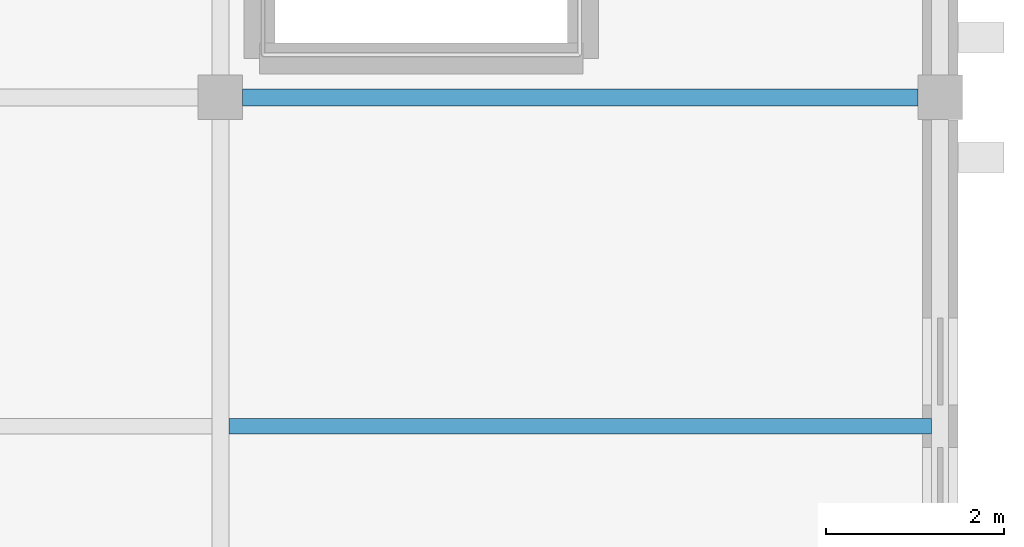
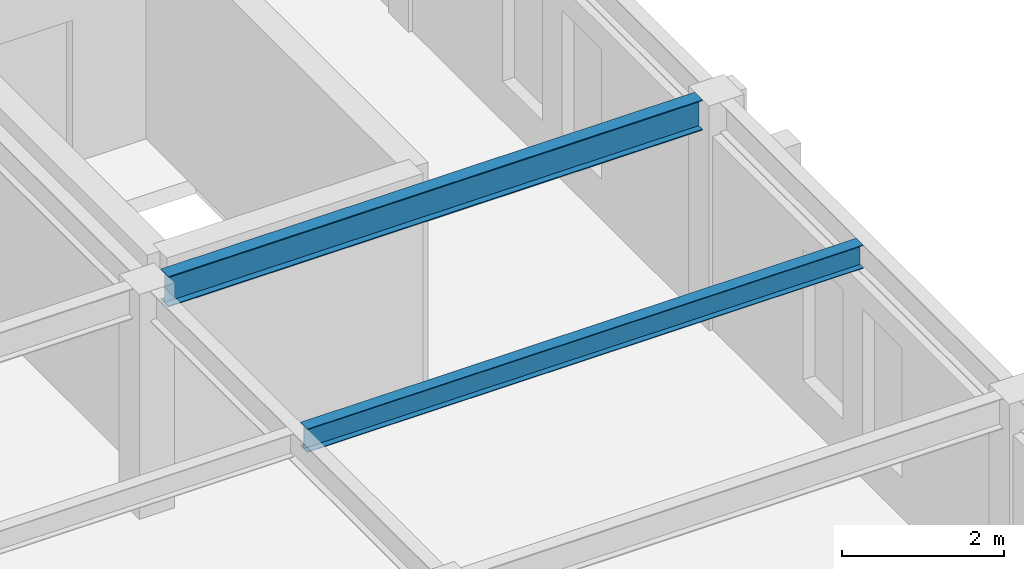
# One storey, part 66 of 93: 2 beams.
"""IFC4 building model written with IfcOpenShell, lengths in metres."""

from ifc_helpers import new_model, si_unit, direction, frame, origin, origin_2d, place, context, subcontext, project, spatial, i_section, extrude, material, material_profile, profile_set, type_object, element, save


model = new_model("IFC4")

# Units and contexts
model_context = context("Model", 3, precision=1e-05, world=origin(), true_north=direction((0.0, 1.0)))
body_context = subcontext(model_context, "Body", "Model", "MODEL_VIEW")
ifc_project = project(units=[si_unit("LENGTHUNIT", "METRE"), si_unit("AREAUNIT", "SQUARE_METRE"), si_unit("VOLUMEUNIT", "CUBIC_METRE"), si_unit("PLANEANGLEUNIT", "RADIAN"), si_unit("MASSUNIT", "GRAM", prefix="KILO")], contexts=[model_context])

# Site, building, storey
site_placement = place(None, origin())
site = spatial("IfcSite", under=ifc_project, at=site_placement, CompositionType="ELEMENT")
building_placement = place(site_placement, origin())
building = spatial("IfcBuilding", under=site, at=building_placement, Name="Cimatlan Art Gallery", CompositionType="ELEMENT")
storey_placement = place(building_placement, frame((0.0, 0.0, 13.800048828125)))
storey = spatial("IfcBuildingStorey", under=building, at=storey_placement, Name="L03", CompositionType="ELEMENT", Elevation=13.800048828125)

# Beams
ifc_material = material(Name="Steel ASTM A992 Grade 50", Category="steel")
ifc_material_profile_1 = material_profile(ifc_material, i_section(OverallWidth=0.1708984375, OverallDepth=0.35107421875, WebThickness=0.0068359375, FlangeThickness=0.009765625, at=origin_2d()), Name="W14X30")
ifc_profile_set_1 = profile_set([ifc_material_profile_1], Name="Steel ASTM A992 Grade 50")
beam_type_1 = type_object("IfcBeamType", Name="BM-STL-W14X30", PredefinedType="JOIST", material=ifc_profile_set_1)
beam_1_placement = place(storey_placement, frame((155.99560546875, 42.39990234375, 3.204345703125), z_axis=(1.0, 0.0, 0.0), x_axis=(0.0, 1.0, 0.0)))
element("IfcBeam", 1, at=beam_1_placement, inside=storey, type_object=beam_type_1, Name="JST-L03-19-05", PredefinedType="JOIST", context=body_context, shape_type="SweptSolid", body=[
    extrude(i_section(OverallWidth=0.1708984375, OverallDepth=0.35107421875, WebThickness=0.0068359375, FlangeThickness=0.009765625, at=origin_2d()), origin(), (0.0, 0.0, 1.0), 7.908935546875),
])
ifc_material_profile_2 = material_profile(ifc_material, i_section(OverallWidth=0.19091796875, OverallDepth=0.45703125, WebThickness=0.009033203125, FlangeThickness=0.014404296875, at=origin_2d()), Name="W18X50")
ifc_profile_set_2 = profile_set([ifc_material_profile_2], Name="Steel ASTM A992 Grade 50")
beam_type_2 = type_object("IfcBeamType", Name="BM-STL-W18X50", PredefinedType="BEAM", material=ifc_profile_set_2)
beam_2_placement = place(storey_placement, frame((156.14990234375, 46.10009765625, 3.1513671875), z_axis=(1.0, 0.0, 0.0), x_axis=(0.0, 1.0, 0.0)))
element("IfcBeam", 2, at=beam_2_placement, inside=storey, type_object=beam_type_2, Name="BM-X-L03-19-06", PredefinedType="BEAM", context=body_context, shape_type="SweptSolid", body=[
    extrude(i_section(OverallWidth=0.19091796875, OverallDepth=0.45703125, WebThickness=0.009033203125, FlangeThickness=0.014404296875, at=origin_2d()), origin(), (0.0, 0.0, 1.0), 7.60009765625),
])

save(model, "model.ifc")
